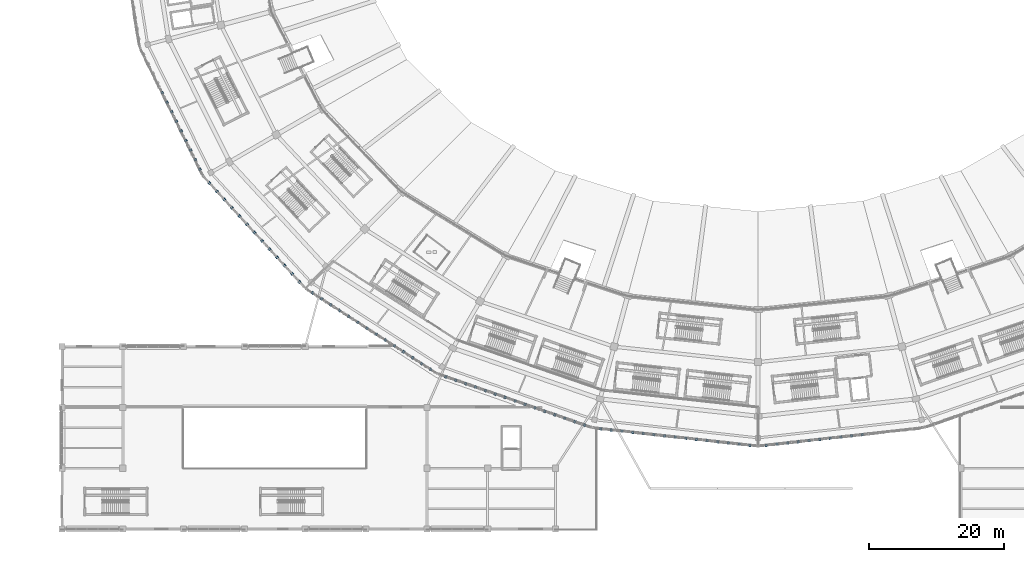
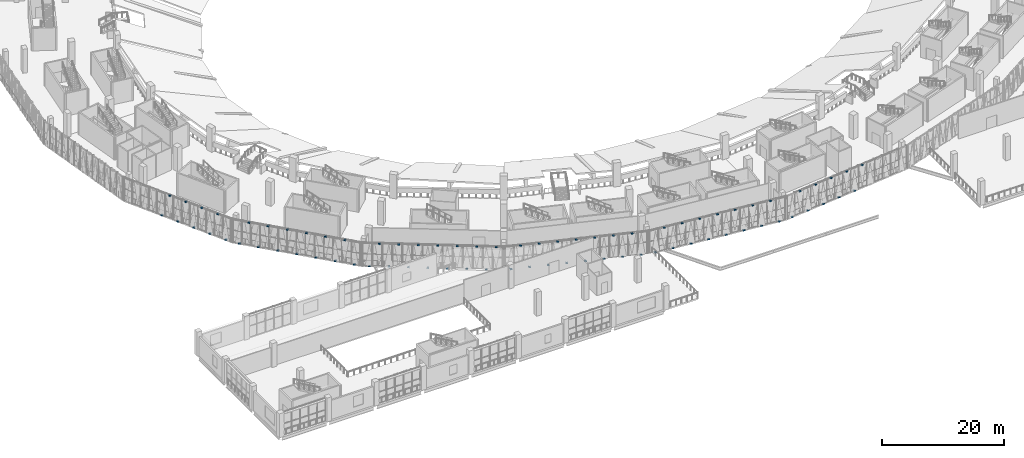
# One storey, part 119 of 183: 76 discrete accessories.
"""IFC4 building model written with IfcOpenShell, lengths in metres."""

from ifc_helpers import new_model, si_unit, direction, frame, origin, origin_2d, place, context, subcontext, project, spatial, rectangle, extrude, material, layer, layer_set, type_object, element, save


model = new_model("IFC4")

# Units and contexts
model_context = context("Model", 3, precision=1e-05, world=origin(), true_north=direction((0.0, 1.0)))
body_context = subcontext(model_context, "Body", "Model", "MODEL_VIEW")
ifc_project = project(units=[si_unit("LENGTHUNIT", "METRE"), si_unit("AREAUNIT", "SQUARE_METRE"), si_unit("VOLUMEUNIT", "CUBIC_METRE"), si_unit("PLANEANGLEUNIT", "RADIAN"), si_unit("MASSUNIT", "GRAM", prefix="KILO")], contexts=[model_context])

# Site, building, storey
site_placement = place(None, origin())
site = spatial("IfcSite", under=ifc_project, at=site_placement, CompositionType="ELEMENT")
building_placement = place(site_placement, origin())
building = spatial("IfcBuilding", under=site, at=building_placement, Name="Zevraka Park Crest Stadium", CompositionType="ELEMENT")
storey_placement = place(building_placement, frame((0.0, 0.0, 5.39990234375)))
storey = spatial("IfcBuildingStorey", under=building, at=storey_placement, Name="L01", CompositionType="ELEMENT", Elevation=5.39990234375)

# Discrete accessories
ifc_material = material(Name="Galvanised steel bracketry", Category="steel")
ifc_layer = layer(ifc_material, 0.1201171875)
ifc_layer_set = layer_set([ifc_layer], Name="Galvanised steel bracketry")
discrete_accessory_type = type_object("IfcDiscreteAccessoryType", Name="BRK01", PredefinedType="BRACKET", material=ifc_layer_set)
for number, where, z_axis, x_axis, name in (
    (1, (23.823974609375, 64.5859375, -0.15966796875), (0.0, 0.0, 1.0), (0.441505852792, -0.897258369674, 0.0), "Bronze Screen Carrier Bracket BRK01 L01-13-5"),
    (2, (24.52197265625, 63.1669921875, 4.38037109375), (0.0, 0.0, 1.0), (0.441505852792, -0.897258369674, 0.0), "Bronze Screen Carrier Bracket BRK01 L01-13-6"),
    (3, (25.219970703125, 61.7490234375, -0.15966796875), (0.0, 0.0, 1.0), (0.441505852792, -0.897258369674, 0.0), "Bronze Screen Carrier Bracket BRK01 L01-13-7"),
    (4, (25.9169921875, 60.3310546875, 4.38037109375), (0.0, 0.0, 1.0), (0.441505852792, -0.897258369674, 0.0), "Bronze Screen Carrier Bracket BRK01 L01-13-8"),
    (5, (26.614990234375, 58.912109375, -0.15966796875), (0.0, 0.0, 1.0), (0.441505852792, -0.897258369674, 0.0), "Bronze Screen Carrier Bracket BRK01 L01-13-9"),
    (6, (27.31298828125, 57.493896484375, 4.38037109375), (0.0, 0.0, 1.0), (0.441505852792, -0.897258369674, 0.0), "Bronze Screen Carrier Bracket BRK01 L01-13-10"),
    (7, (28.010986328125, 56.075927734375, -0.15966796875), (0.0, 0.0, 1.0), (0.441505852792, -0.897258369674, 0.0), "Bronze Screen Carrier Bracket BRK01 L01-13-11"),
    (8, (28.708984375, 54.656982421875, 4.38037109375), (0.0, 0.0, 1.0), (0.441505852792, -0.897258369674, 0.0), "Bronze Screen Carrier Bracket BRK01 L01-13-12"),
    (9, (29.406982421875, 53.239013671875, -0.15966796875), (0.0, 0.0, 1.0), (0.441505852792, -0.897258369674, 0.0), "Bronze Screen Carrier Bracket BRK01 L01-13-13"),
    (10, (30.803955078125, 51.197021484375, -0.15966796875), (0.0, 0.0, 1.0), (0.673657707057, -0.739043499209, 0.0), "Bronze Screen Carrier Bracket BRK01 L01-14-1"),
    (11, (31.916015625, 49.97705078125, 4.38037109375), (0.0, 0.0, 1.0), (0.673657707057, -0.739043499209, 0.0), "Bronze Screen Carrier Bracket BRK01 L01-14-2"),
    (12, (33.029052734375, 48.757080078125, -0.15966796875), (0.0, 0.0, 1.0), (0.673657707057, -0.739043499209, 0.0), "Bronze Screen Carrier Bracket BRK01 L01-14-3"),
    (13, (34.14111328125, 47.537109375, 4.38037109375), (0.0, 0.0, 1.0), (0.673657707057, -0.739043499209, 0.0), "Bronze Screen Carrier Bracket BRK01 L01-14-4"),
    (14, (35.2529296875, 46.31689453125, -0.15966796875), (0.0, 0.0, 1.0), (0.673657707057, -0.739043499209, 0.0), "Bronze Screen Carrier Bracket BRK01 L01-14-5"),
    (15, (36.364990234375, 45.096923828125, 4.38037109375), (0.0, 0.0, 1.0), (0.673657707057, -0.739043499209, 0.0), "Bronze Screen Carrier Bracket BRK01 L01-14-6"),
    (16, (37.47802734375, 43.8759765625, -0.15966796875), (0.0, 0.0, 1.0), (0.673657707057, -0.739043499209, 0.0), "Bronze Screen Carrier Bracket BRK01 L01-14-7"),
    (17, (38.590087890625, 42.656005859375, 4.38037109375), (0.0, 0.0, 1.0), (0.673657707057, -0.739043499209, 0.0), "Bronze Screen Carrier Bracket BRK01 L01-14-8"),
    (18, (39.701904296875, 41.43603515625, -0.15966796875), (0.0, 0.0, 1.0), (0.673657707057, -0.739043499209, 0.0), "Bronze Screen Carrier Bracket BRK01 L01-14-9"),
    (19, (40.81396484375, 40.216064453125, 4.38037109375), (0.0, 0.0, 1.0), (0.673657707057, -0.739043499209, 0.0), "Bronze Screen Carrier Bracket BRK01 L01-14-10"),
    (20, (41.926025390625, 38.99609375, -0.15966796875), (0.0, 0.0, 1.0), (0.673657707057, -0.739043499209, 0.0), "Bronze Screen Carrier Bracket BRK01 L01-14-11"),
    (21, (43.0390625, 37.77587890625, 4.38037109375), (0.0, 0.0, 1.0), (0.673657707057, -0.739043499209, 0.0), "Bronze Screen Carrier Bracket BRK01 L01-14-12"),
    (22, (44.15087890625, 36.555908203125, -0.15966796875), (0.0, 0.0, 1.0), (0.673657707057, -0.739043499209, 0.0), "Bronze Screen Carrier Bracket BRK01 L01-14-13"),
    (23, (46.051025390625, 34.943115234375, -0.15966796875), (0.0, 0.0, 1.0), (0.839998867196, -0.542588152386, 0.0), "Bronze Screen Carrier Bracket BRK01 L01-15-1"),
    (24, (47.39990234375, 34.072021484375, 4.38037109375), (0.0, 0.0, 1.0), (0.839998867196, -0.542588152386, 0.0), "Bronze Screen Carrier Bracket BRK01 L01-15-2"),
    (25, (48.748046875, 33.200927734375, -0.15966796875), (0.0, 0.0, 1.0), (0.839998867196, -0.542588152386, 0.0), "Bronze Screen Carrier Bracket BRK01 L01-15-3"),
    (26, (50.096923828125, 32.330078125, 4.38037109375), (0.0, 0.0, 1.0), (0.839998867196, -0.542588152386, 0.0), "Bronze Screen Carrier Bracket BRK01 L01-15-4"),
    (27, (51.445068359375, 31.458984375, -0.15966796875), (0.0, 0.0, 1.0), (0.839998867196, -0.542588152386, 0.0), "Bronze Screen Carrier Bracket BRK01 L01-15-5"),
    (28, (52.79296875, 30.587890625, 4.38037109375), (0.0, 0.0, 1.0), (0.839998867196, -0.542588152386, 0.0), "Bronze Screen Carrier Bracket BRK01 L01-15-6"),
    (29, (54.14208984375, 29.717041015625, -0.15966796875), (0.0, 0.0, 1.0), (0.839998867196, -0.542588152386, 0.0), "Bronze Screen Carrier Bracket BRK01 L01-15-7"),
    (30, (55.489990234375, 28.846923828125, 4.38037109375), (0.0, 0.0, 1.0), (0.839998867196, -0.542588152386, 0.0), "Bronze Screen Carrier Bracket BRK01 L01-15-8"),
    (31, (56.839111328125, 27.97607421875, -0.15966796875), (0.0, 0.0, 1.0), (0.839998867196, -0.542588152386, 0.0), "Bronze Screen Carrier Bracket BRK01 L01-15-9"),
    (32, (58.18701171875, 27.10498046875, 4.38037109375), (0.0, 0.0, 1.0), (0.839998867196, -0.542588152386, 0.0), "Bronze Screen Carrier Bracket BRK01 L01-15-10"),
    (33, (59.534912109375, 26.23388671875, -0.15966796875), (0.0, 0.0, 1.0), (0.839998867196, -0.542588152386, 0.0), "Bronze Screen Carrier Bracket BRK01 L01-15-11"),
    (34, (60.884033203125, 25.363037109375, 4.38037109375), (0.0, 0.0, 1.0), (0.839998867196, -0.542588152386, 0.0), "Bronze Screen Carrier Bracket BRK01 L01-15-12"),
    (35, (62.23193359375, 24.491943359375, -0.15966796875), (0.0, 0.0, 1.0), (0.839998867196, -0.542588152386, 0.0), "Bronze Screen Carrier Bracket BRK01 L01-15-13"),
    (36, (63.5810546875, 23.62109375, 4.38037109375), (0.0, 0.0, 1.0), (0.839998867196, -0.542588152386, 0.0), "Bronze Screen Carrier Bracket BRK01 L01-15-14"),
    (37, (65.779052734375, 22.5439453125, -0.15966796875), (0.0, 0.0, 1.0), (0.944261516589, -0.329196276237, 0.0), "Bronze Screen Carrier Bracket BRK01 L01-16-1"),
    (38, (67.24609375, 22.031982421875, 4.38037109375), (0.0, 0.0, 1.0), (0.944261516589, -0.329196276237, 0.0), "Bronze Screen Carrier Bracket BRK01 L01-16-2"),
    (39, (68.714111328125, 21.52099609375, -0.15966796875), (0.0, 0.0, 1.0), (0.944261516589, -0.329196276237, 0.0), "Bronze Screen Carrier Bracket BRK01 L01-16-3"),
    (40, (70.181884765625, 21.009033203125, 4.38037109375), (0.0, 0.0, 1.0), (0.944261516589, -0.329196276237, 0.0), "Bronze Screen Carrier Bracket BRK01 L01-16-4"),
    (41, (71.64892578125, 20.4970703125, -0.15966796875), (0.0, 0.0, 1.0), (0.944261516589, -0.329196276237, 0.0), "Bronze Screen Carrier Bracket BRK01 L01-16-5"),
    (42, (73.116943359375, 19.985107421875, 4.38037109375), (0.0, 0.0, 1.0), (0.944261516589, -0.329196276237, 0.0), "Bronze Screen Carrier Bracket BRK01 L01-16-6"),
    (43, (74.583984375, 19.47412109375, -0.15966796875), (0.0, 0.0, 1.0), (0.944261516589, -0.329196276237, 0.0), "Bronze Screen Carrier Bracket BRK01 L01-16-7"),
    (44, (76.052001953125, 18.9619140625, 4.38037109375), (0.0, 0.0, 1.0), (0.944261516589, -0.329196276237, 0.0), "Bronze Screen Carrier Bracket BRK01 L01-16-8"),
    (45, (77.52001953125, 18.449951171875, -0.15966796875), (0.0, 0.0, 1.0), (0.944261516589, -0.329196276237, 0.0), "Bronze Screen Carrier Bracket BRK01 L01-16-9"),
    (46, (78.987060546875, 17.93896484375, 4.38037109375), (0.0, 0.0, 1.0), (0.944261516589, -0.329196276237, 0.0), "Bronze Screen Carrier Bracket BRK01 L01-16-10"),
    (47, (80.455078125, 17.427001953125, -0.15966796875), (0.0, 0.0, 1.0), (0.944261516589, -0.329196276237, 0.0), "Bronze Screen Carrier Bracket BRK01 L01-16-11"),
    (48, (81.922119140625, 16.9150390625, 4.38037109375), (0.0, 0.0, 1.0), (0.944261516589, -0.329196276237, 0.0), "Bronze Screen Carrier Bracket BRK01 L01-16-12"),
    (49, (83.389892578125, 16.403076171875, -0.15966796875), (0.0, 0.0, 1.0), (0.944261516589, -0.329196276237, 0.0), "Bronze Screen Carrier Bracket BRK01 L01-16-13"),
    (50, (84.85791015625, 15.89208984375, 4.38037109375), (0.0, 0.0, 1.0), (0.944261516589, -0.329196276237, 0.0), "Bronze Screen Carrier Bracket BRK01 L01-16-14"),
    (51, (86.324951171875, 15.3798828125, -0.15966796875), (0.0, 0.0, 1.0), (0.944261516589, -0.329196276237, 0.0), "Bronze Screen Carrier Bracket BRK01 L01-16-15"),
    (52, (88.7060546875, 14.842041015625, -0.15966796875), (0.0, 0.0, 1.0), (0.9939225904, -0.110081262225, 0.0), "Bronze Screen Carrier Bracket BRK01 L01-17-1"),
    (53, (90.281982421875, 14.6669921875, 4.38037109375), (0.0, 0.0, 1.0), (0.9939225904, -0.110081262225, 0.0), "Bronze Screen Carrier Bracket BRK01 L01-17-2"),
    (54, (91.85888671875, 14.492919921875, -0.15966796875), (0.0, 0.0, 1.0), (0.9939225904, -0.110081262225, 0.0), "Bronze Screen Carrier Bracket BRK01 L01-17-3"),
    (55, (93.43505859375, 14.318115234375, 4.38037109375), (0.0, 0.0, 1.0), (0.9939225904, -0.110081262225, 0.0), "Bronze Screen Carrier Bracket BRK01 L01-17-4"),
    (56, (95.010986328125, 14.14306640625, -0.15966796875), (0.0, 0.0, 1.0), (0.9939225904, -0.110081262225, 0.0), "Bronze Screen Carrier Bracket BRK01 L01-17-5"),
    (57, (96.5869140625, 13.968994140625, 4.38037109375), (0.0, 0.0, 1.0), (0.9939225904, -0.110081262225, 0.0), "Bronze Screen Carrier Bracket BRK01 L01-17-6"),
    (58, (98.1630859375, 13.7939453125, -0.15966796875), (0.0, 0.0, 1.0), (0.9939225904, -0.110081262225, 0.0), "Bronze Screen Carrier Bracket BRK01 L01-17-7"),
    (59, (99.739013671875, 13.6201171875, 4.38037109375), (0.0, 0.0, 1.0), (0.9939225904, -0.110081262225, 0.0), "Bronze Screen Carrier Bracket BRK01 L01-17-8"),
    (60, (101.31494140625, 13.445068359375, -0.15966796875), (0.0, 0.0, 1.0), (0.9939225904, -0.110081262225, 0.0), "Bronze Screen Carrier Bracket BRK01 L01-17-9"),
    (61, (102.89111328125, 13.27001953125, 4.38037109375), (0.0, 0.0, 1.0), (0.9939225904, -0.110081262225, 0.0), "Bronze Screen Carrier Bracket BRK01 L01-17-10"),
    (62, (104.467041015625, 13.095947265625, -0.15966796875), (0.0, 0.0, 1.0), (0.9939225904, -0.110081262225, 0.0), "Bronze Screen Carrier Bracket BRK01 L01-17-11"),
    (63, (106.04296875, 12.9208984375, 4.38037109375), (0.0, 0.0, 1.0), (0.9939225904, -0.110081262225, 0.0), "Bronze Screen Carrier Bracket BRK01 L01-17-12"),
    (64, (107.618896484375, 12.74609375, -0.15966796875), (0.0, 0.0, 1.0), (0.9939225904, -0.110081262225, 0.0), "Bronze Screen Carrier Bracket BRK01 L01-17-13"),
    (65, (109.196044921875, 12.572021484375, 4.38037109375), (0.0, 0.0, 1.0), (0.9939225904, -0.110081262225, 0.0), "Bronze Screen Carrier Bracket BRK01 L01-17-14"),
    (66, (110.77197265625, 12.39697265625, -0.15966796875), (0.0, 0.0, 1.0), (0.9939225904, -0.110081262225, 0.0), "Bronze Screen Carrier Bracket BRK01 L01-17-15"),
    (67, (113.22802734375, 12.39697265625, -0.15966796875), (0.0, 0.0, 1.0), (0.9939225904, 0.110081262225, 0.0), "Bronze Screen Carrier Bracket BRK01 L01-18-1"),
    (68, (114.803955078125, 12.572021484375, 4.38037109375), (0.0, 0.0, 1.0), (0.9939225904, 0.110081262225, 0.0), "Bronze Screen Carrier Bracket BRK01 L01-18-2"),
    (69, (116.381103515625, 12.74609375, -0.15966796875), (0.0, 0.0, 1.0), (0.9939225904, 0.110081262225, 0.0), "Bronze Screen Carrier Bracket BRK01 L01-18-3"),
    (70, (117.95703125, 12.9208984375, 4.38037109375), (0.0, 0.0, 1.0), (0.9939225904, 0.110081262225, 0.0), "Bronze Screen Carrier Bracket BRK01 L01-18-4"),
    (71, (119.532958984375, 13.095947265625, -0.15966796875), (0.0, 0.0, 1.0), (0.9939225904, 0.110081262225, 0.0), "Bronze Screen Carrier Bracket BRK01 L01-18-5"),
    (72, (121.10888671875, 13.27001953125, 4.38037109375), (0.0, 0.0, 1.0), (0.9939225904, 0.110081262225, 0.0), "Bronze Screen Carrier Bracket BRK01 L01-18-6"),
    (73, (122.68505859375, 13.445068359375, -0.15966796875), (0.0, 0.0, 1.0), (0.9939225904, 0.110081262225, 0.0), "Bronze Screen Carrier Bracket BRK01 L01-18-7"),
    (74, (124.260986328125, 13.6201171875, 4.38037109375), (0.0, 0.0, 1.0), (0.9939225904, 0.110081262225, 0.0), "Bronze Screen Carrier Bracket BRK01 L01-18-8"),
    (75, (125.8369140625, 13.7939453125, -0.15966796875), (0.0, 0.0, 1.0), (0.9939225904, 0.110081262225, 0.0), "Bronze Screen Carrier Bracket BRK01 L01-18-9"),
    (76, (127.4130859375, 13.968994140625, 4.38037109375), (0.0, 0.0, 1.0), (0.9939225904, 0.110081262225, 0.0), "Bronze Screen Carrier Bracket BRK01 L01-18-10"),
):
    element("IfcDiscreteAccessory", number, at=place(storey_placement, frame(where, z_axis=z_axis, x_axis=x_axis)), inside=storey, type_object=discrete_accessory_type, Name=name, PredefinedType="BRACKET", context=body_context, shape_type="SweptSolid", body=[
        extrude(rectangle(XDim=0.320068359375, YDim=0.360107421875, at=origin_2d()), origin(), (0.0, 0.0, 1.0), 0.159912109375),
    ])

save(model, "model.ifc")
